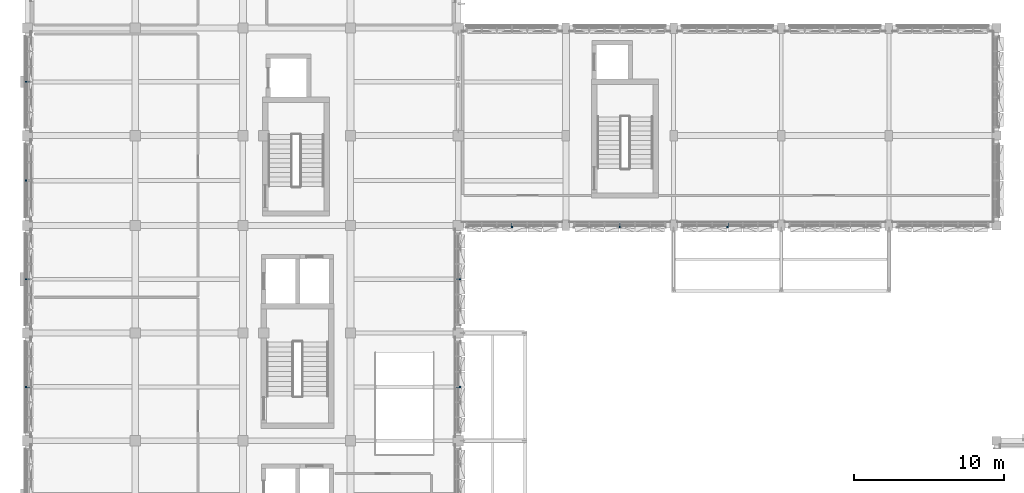
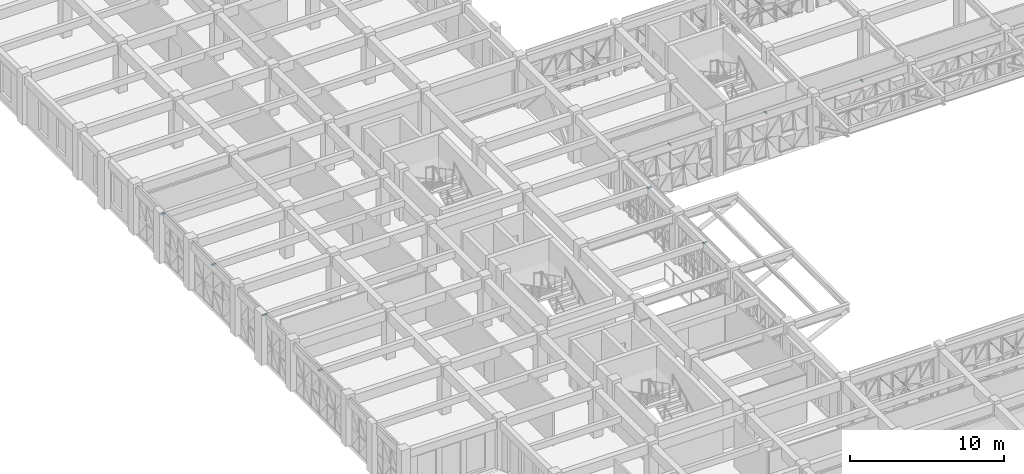
# One storey, part 63 of 88: 9 discrete accessories.
"""IFC4 building model written with IfcOpenShell, lengths in metres."""

import ifcopenshell
import ifcopenshell.guid

model = None  # the IFC model being written
_history = None  # IfcOwnerHistory: only IFC2X3 demands one
_inside = {}  # id of a spatial element -> (the spatial element, [elements in it])
_under = {}  # id of a project, library or spatial element -> (it, [spatial elements below it])
_declared = {}  # id of a project -> (the project, [libraries it declares])
_typed = {}  # id of a type object -> (the type object, [elements of that type])
_made_of = {}  # id of a material, layer set ... -> (it, [elements and type objects made of it])


def new_model(schema):
    """Start an empty IFC model of exactly this schema.

    Asked for "IFC4X3", IfcOpenShell would pick the latest addendum, in which some entities
    have other attributes; the version numbers below select the first issue.
    IFC2X3 requires an IfcOwnerHistory on every rooted entity: one is made here for all.
    """
    global model, _history
    if schema == "IFC4X3":
        model = ifcopenshell.file(schema_version=(4, 3, 0, 0))
    else:
        model = ifcopenshell.file(schema=schema)
    _inside.clear()
    _under.clear()
    _declared.clear()
    _typed.clear()
    _made_of.clear()
    _history = None
    if model.schema == "IFC2X3":
        org = make("IfcOrganization", Name="unknown")
        user = make(
            "IfcPersonAndOrganization",
            ThePerson=make("IfcPerson", FamilyName="unknown"),
            TheOrganization=org,
        )
        app = make(
            "IfcApplication",
            ApplicationDeveloper=org,
            Version="unknown",
            ApplicationFullName="unknown",
            ApplicationIdentifier="unknown",
        )
        _history = make(
            "IfcOwnerHistory",
            OwningUser=user,
            OwningApplication=app,
            ChangeAction="ADDED",
            CreationDate=0,
        )
    return model


def make(cls, **values):
    """One entity of the class cls with the attributes given. An attribute that is None is left unset."""
    return model.create_entity(
        cls, **{name: value for name, value in values.items() if value is not None}
    )


def rooted(cls, **values):
    """An entity with a GlobalId (a new one), such as an element, a storey or a relation."""
    return make(cls, GlobalId=ifcopenshell.guid.new(), OwnerHistory=_history, **values)


def si_unit(unit_type, name, prefix=None):
    """IfcSIUnit, for example si_unit("LENGTHUNIT", "METRE", prefix="MILLI")."""
    return make("IfcSIUnit", UnitType=unit_type, Prefix=prefix, Name=name)


def assignment(units):
    """IfcUnitAssignment: the units of a project."""
    return None if units is None else make("IfcUnitAssignment", Units=units)


def point(xyz):
    """IfcCartesianPoint."""
    return None if xyz is None else make("IfcCartesianPoint", Coordinates=xyz)


def direction(xyz):
    """IfcDirection."""
    return None if xyz is None else make("IfcDirection", DirectionRatios=xyz)


def frame(location, z_axis=None, x_axis=None):
    """IfcAxis2Placement3D, a coordinate frame: its origin and axes. An axis left out is left unset."""
    return make(
        "IfcAxis2Placement3D",
        Location=point(location),
        Axis=direction(z_axis),
        RefDirection=direction(x_axis),
    )


def frame_2d(location, x_axis=None):
    """IfcAxis2Placement2D, a coordinate frame in the plane: its origin and x axis."""
    return make(
        "IfcAxis2Placement2D", Location=point(location), RefDirection=direction(x_axis)
    )


def origin():
    """The frame at (0, 0, 0) with its axes left unset."""
    return frame((0.0, 0.0, 0.0))


def origin_2d():
    """The frame at (0, 0) in the plane with its x axis left unset."""
    return frame_2d((0.0, 0.0))


def place(relative_to, where):
    """IfcLocalPlacement: puts the frame where relative to a parent placement (None: the world)."""
    return make(
        "IfcLocalPlacement", PlacementRelTo=relative_to, RelativePlacement=where
    )


def context(
    kind, dimensions, precision=None, world=None, true_north=None, identifier=None
):
    """IfcGeometricRepresentationContext, for example the 3D "Model" context."""
    return make(
        "IfcGeometricRepresentationContext",
        ContextIdentifier=identifier,
        ContextType=kind,
        CoordinateSpaceDimension=dimensions,
        Precision=precision,
        WorldCoordinateSystem=world,
        TrueNorth=true_north,
    )


def subcontext(parent, identifier, kind, view, scale=None):
    """IfcGeometricRepresentationSubContext, for example "Body" below "Model"."""
    return make(
        "IfcGeometricRepresentationSubContext",
        ContextIdentifier=identifier,
        ContextType=kind,
        ParentContext=parent,
        TargetScale=scale,
        TargetView=view,
    )


def project(units=None, contexts=None):
    """IfcProject with its units and contexts."""
    return rooted(
        "IfcProject",
        Name="project",
        RepresentationContexts=contexts,
        UnitsInContext=assignment(units),
    )


def spatial(cls, under=None, at=None, **own):
    """A site, building, storey or space (cls), placed at a placement, below another one or the project."""
    s = rooted(cls, ObjectPlacement=at, **own)
    if under is not None:
        _under.setdefault(under.id(), (under, []))[1].append(s)
    return s


def profile(cls, at=None, kind="AREA", **sizes):
    """A parametric profile (cls). Its sizes go by their IFC names, for example OverallWidth=200.0."""
    return make(cls, ProfileType=kind, Position=at, **sizes)


def rectangle(**sizes):
    """IfcRectangleProfileDef."""
    return profile("IfcRectangleProfileDef", **sizes)


def extrude(swept, where, along, depth):
    """IfcExtrudedAreaSolid: the profile swept, set in the frame where, extruded along a direction by depth."""
    return make(
        "IfcExtrudedAreaSolid",
        SweptArea=swept,
        Position=where,
        ExtrudedDirection=direction(along),
        Depth=depth,
    )


def shape(context_of_items, identifier, shape_type, items):
    """IfcShapeRepresentation: the items that make up one representation, for example the "Body"."""
    return make(
        "IfcShapeRepresentation",
        ContextOfItems=context_of_items,
        RepresentationIdentifier=identifier,
        RepresentationType=shape_type,
        Items=items,
    )


def material(Name=None, Category=None):
    """IfcMaterial."""
    return make("IfcMaterial", Name=Name, Category=Category)


def made_of(thing, what):
    """Note that an element or type object is made of a material, layer set ...; save() writes the relation."""
    if what is not None:
        _made_of.setdefault(what.id(), (what, []))[1].append(thing)
    return thing


def type_object(cls, material=None, **own):
    """A type object (cls), such as IfcWallType, which elements share."""
    return made_of(rooted(cls, **own), material)


def element(
    cls,
    number,
    at=None,
    inside=None,
    cuts=None,
    type_object=None,
    material=None,
    context=None,
    identifier="Body",
    shape_type=None,
    held_by="IfcProductDefinitionShape",
    body=None,
    shapes=None,
    **own,
):
    """One element of the class cls, such as IfcWall. Its Tag is "e" and its number.

    at: its placement. inside: the storey or other place that contains it. cuts: it is an
    opening in that element (IfcRelVoidsElement). A single representation is given by context,
    identifier, shape_type and body (its items); several are given by shapes. held_by: the class
    of the entity that holds the representations. save() writes the other relations.
    """
    e = rooted(cls, Tag="e%d" % number, ObjectPlacement=at, **own)
    if body is not None:
        shapes = [shape(context, identifier, shape_type, body)]
    if shapes is not None:
        e.Representation = make(held_by, Representations=shapes)
    if inside is not None:
        _inside.setdefault(inside.id(), (inside, []))[1].append(e)
    if cuts is not None:
        rooted(
            "IfcRelVoidsElement", RelatingBuildingElement=cuts, RelatedOpeningElement=e
        )
    if type_object is not None:
        _typed.setdefault(type_object.id(), (type_object, []))[1].append(e)
    return made_of(e, material)


def aggregate(whole, parts):
    """IfcRelAggregates: a whole, such as a stair, and the parts it consists of."""
    return rooted("IfcRelAggregates", RelatingObject=whole, RelatedObjects=parts)


def save(model, path):
    """Write the relations noted so far, then the file.

    IfcRelAggregates (storeys below a building ...), IfcRelContainedInSpatialStructure (elements
    in a storey), IfcRelDefinesByType, IfcRelAssociatesMaterial and IfcRelDeclares: one each for
    every whole, place, type object, material and project.
    """
    for whole, parts in _under.values():
        aggregate(whole, parts)
    for where, things in _inside.values():
        rooted(
            "IfcRelContainedInSpatialStructure",
            RelatedElements=things,
            RelatingStructure=where,
        )
    for kind, things in _typed.values():
        rooted("IfcRelDefinesByType", RelatedObjects=things, RelatingType=kind)
    for what, things in _made_of.values():
        rooted("IfcRelAssociatesMaterial", RelatedObjects=things, RelatingMaterial=what)
    for by, libraries in _declared.values():
        rooted("IfcRelDeclares", RelatingContext=by, RelatedDefinitions=libraries)
    model.write(path)


model = new_model("IFC4")

# Units and contexts
model_context = context("Model", 3, precision=1e-05, world=origin(), true_north=direction((0.0, 1.0)))
body_context = subcontext(model_context, "Body", "Model", "MODEL_VIEW")
ifc_project = project(units=[si_unit("LENGTHUNIT", "METRE"), si_unit("AREAUNIT", "SQUARE_METRE"), si_unit("VOLUMEUNIT", "CUBIC_METRE"), si_unit("PLANEANGLEUNIT", "RADIAN"), si_unit("MASSUNIT", "GRAM", prefix="KILO")], contexts=[model_context])

# Site, building, storey
site_placement = place(None, origin())
site = spatial("IfcSite", under=ifc_project, at=site_placement, CompositionType="ELEMENT")
building_placement = place(site_placement, origin())
building = spatial("IfcBuilding", under=site, at=building_placement, Name="Alvorim Cloister Faculty of Sciences", CompositionType="ELEMENT")
storey_placement = place(building_placement, frame((0.0, 0.0, 4.5)))
storey = spatial("IfcBuildingStorey", under=building, at=storey_placement, Name="L01", CompositionType="ELEMENT", Elevation=4.5)

# Discrete accessories
ifc_material = material(Name="Aluminium Alloy 6063-T6", Category="aluminium")
discrete_accessory_type = type_object("IfcDiscreteAccessoryType", Name="ACC-DIAG-BAR", PredefinedType="BRACKET", material=ifc_material)
for number, where, z_axis, x_axis, name in (
    (1, (0.139892578125, 32.39990234375, 3.610107421875), (-1.0, 0.0, 0.0), (0.0, -1.0, 0.0), "Slab-Edge Fascia Tie Bracket ACC-00026"),
    (2, (0.139892578125, 39.60009765625, 3.610107421875), (-1.0, 0.0, 0.0), (0.0, -1.0, 0.0), "Slab-Edge Fascia Tie Bracket ACC-00039"),
    (3, (0.139892578125, 46.199951171875, 3.610107421875), (-1.0, 0.0, 0.0), (0.0, -1.0, 0.0), "Slab-Edge Fascia Tie Bracket ACC-00048"),
    (4, (0.139892578125, 52.800048828125, 3.610107421875), (-1.0, 0.0, 0.0), (0.0, -1.0, 0.0), "Slab-Edge Fascia Tie Bracket ACC-00061"),
):
    element("IfcDiscreteAccessory", number, at=place(storey_placement, frame(where, z_axis=z_axis, x_axis=x_axis)), inside=storey, type_object=discrete_accessory_type, Name=name, PredefinedType="BRACKET", context=body_context, shape_type="SweptSolid", body=[
        extrude(rectangle(XDim=0.080078125, YDim=0.080078125, at=origin_2d()), origin(), (0.0, 0.0, 1.0), 0.2998046875),
    ])
for number, where, z_axis, x_axis, name in (
    (5, (46.800048828125, 43.340087890625, 3.610107421875), (0.0, -1.0, 0.0), (1.0, 0.0, 0.0), "Slab-Edge Fascia Tie Bracket ACC-00187"),
    (6, (39.60009765625, 43.340087890625, 3.610107421875), (0.0, -1.0, 0.0), (1.0, 0.0, 0.0), "Slab-Edge Fascia Tie Bracket ACC-00200"),
    (7, (32.39990234375, 43.340087890625, 3.610107421875), (0.0, -1.0, 0.0), (1.0, 0.0, 0.0), "Slab-Edge Fascia Tie Bracket ACC-00213"),
    (8, (28.659912109375, 39.60009765625, 3.610107421875), (1.0, 0.0, 0.0), (0.0, 1.0, 0.0), "Slab-Edge Fascia Tie Bracket ACC-00226"),
    (9, (28.659912109375, 32.39990234375, 3.610107421875), (1.0, 0.0, 0.0), (0.0, 1.0, 0.0), "Slab-Edge Fascia Tie Bracket ACC-00239"),
):
    element("IfcDiscreteAccessory", number, at=place(storey_placement, frame(where, z_axis=z_axis, x_axis=x_axis)), inside=storey, type_object=discrete_accessory_type, Name=name, PredefinedType="BRACKET", context=body_context, shape_type="SweptSolid", body=[
        extrude(rectangle(XDim=0.080078125, YDim=0.080078125, at=origin_2d()), origin(), (0.0, 0.0, 1.0), 0.300048828125),
    ])

save(model, "model.ifc")
